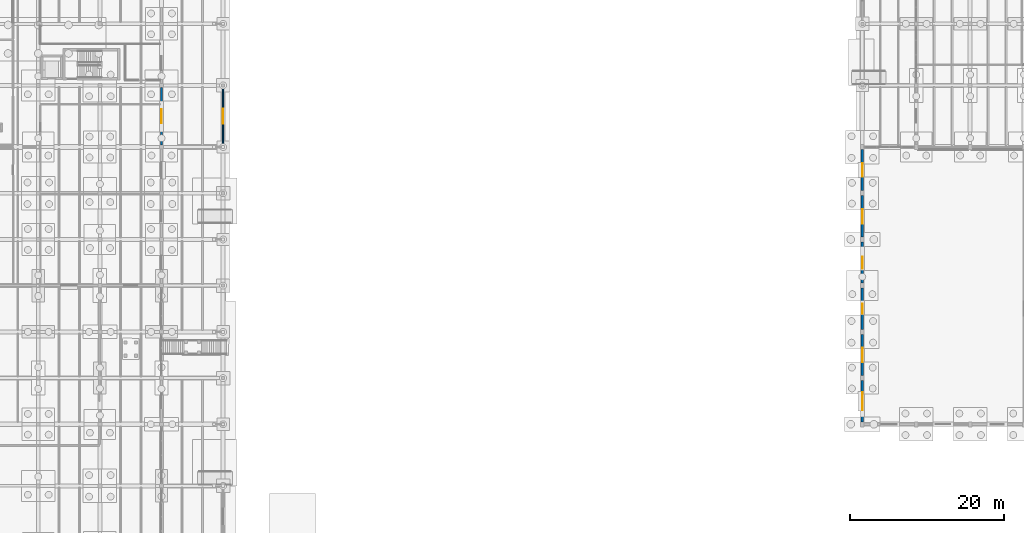
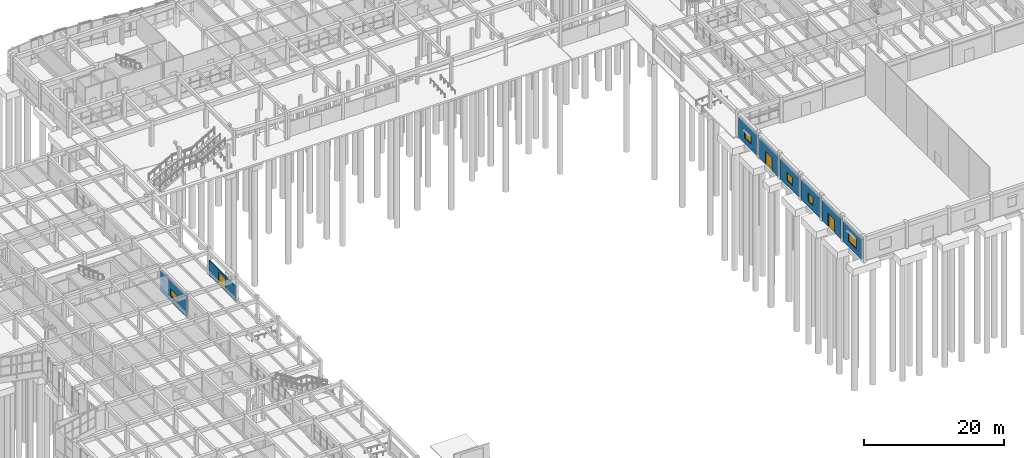
# One storey, part 63 of 99: 8 walls, 5 windows, 3 doors, 8 openings.
"""IFC4 building model written with IfcOpenShell, lengths in metres."""

from ifc_helpers import new_model, si_unit, direction, frame, frame_2d, origin, place, context, subcontext, project, spatial, rectangle, extrude, material, layer, layer_set, type_object, element, fill, save


model = new_model("IFC4")

# Units and contexts
model_context = context("Model", 3, precision=1e-05, world=origin(), true_north=direction((0.0, 1.0)))
body_context = subcontext(model_context, "Body", "Model", "MODEL_VIEW")
ifc_project = project(units=[si_unit("LENGTHUNIT", "METRE"), si_unit("AREAUNIT", "SQUARE_METRE"), si_unit("VOLUMEUNIT", "CUBIC_METRE"), si_unit("PLANEANGLEUNIT", "RADIAN"), si_unit("MASSUNIT", "GRAM", prefix="KILO")], contexts=[model_context])

# Site, building, storey
site_placement = place(None, origin())
site = spatial("IfcSite", under=ifc_project, at=site_placement, CompositionType="ELEMENT")
building_placement = place(site_placement, origin())
building = spatial("IfcBuilding", under=site, at=building_placement, Name="Tonlespit Floodbar School", CompositionType="ELEMENT")
storey_placement = place(building_placement, origin())
storey = spatial("IfcBuildingStorey", under=building, at=storey_placement, Name="L00", CompositionType="ELEMENT", Elevation=0.0)

# Wall, opening, window
ifc_material_1 = material(Name="Precast concrete C40/50", Category="concrete")
ifc_layer_1 = layer(ifc_material_1, 0.2900390625)
ifc_layer_set_1 = layer_set([ifc_layer_1], Name="Precast concrete C40/50")
wall_type_1 = type_object("IfcWallType", Name="ExtWall_Hall_Acoustic_290", PredefinedType="SOLIDWALL", material=ifc_layer_set_1)
wall_1_placement = place(storey_placement, frame((127.0, 20.324951171875, 0.0), z_axis=(0.0, 0.0, 1.0), x_axis=(0.0, 1.0, 0.0)))
wall_1 = element("IfcWall", 1, at=wall_1_placement, inside=storey, type_object=wall_type_1, Name="L00 external wall 0468", PredefinedType="SOLIDWALL", context=body_context, shape_type="SweptSolid", body=[
    extrude(rectangle(XDim=5.35009765625, YDim=0.2900390625, at=frame_2d((2.675048828125, 0.0))), origin(), (0.0, 0.0, 1.0), 3.5400390625),
])
opening_1_placement = place(wall_1_placement, frame((1.52490234375, 0.0, 0.949951171875)))
opening_1 = element("IfcOpeningElement", 2, at=opening_1_placement, cuts=wall_1, Name="Opening W-L00-060", PredefinedType="OPENING", context=body_context, shape_type="SweptSolid", body=[
    extrude(rectangle(XDim=2.300048828125, YDim=1.800048828125, at=frame_2d((1.14990234375, 0.89990234375))), frame((0.0, 0.155029296875, 0.0), z_axis=(0.0, -1.0, 0.0), x_axis=(1.0, 0.0, 0.0)), (0.0, 0.0, 1.0), 0.31005859375),
])
ifc_material_2 = material(Name="Tempered Double Glazing", Category="glass")
window_type_1 = type_object("IfcWindowType", Name="Win_Mod_2300x1800", PartitioningType="DOUBLE_PANEL_VERTICAL", PredefinedType="WINDOW", material=ifc_material_2)
window_1_placement = place(opening_1_placement, origin())
window_1 = element("IfcWindow", 3, at=window_1_placement, inside=storey, type_object=window_type_1, Name="L00 window W-L00-060", OverallHeight=1.800048828125, OverallWidth=2.300048828125, PartitioningType="DOUBLE_PANEL_VERTICAL", PredefinedType="WINDOW", context=body_context, shape_type="SweptSolid", body=[
    extrude(rectangle(XDim=2.300048828125, YDim=1.800048828125, at=frame_2d((1.14990234375, 0.89990234375))), frame((0.0, 0.030029296875, 0.0), z_axis=(0.0, -1.0, 0.0), x_axis=(1.0, 0.0, 0.0)), (0.0, 0.0, 1.0), 0.06005859375),
])
fill(opening_1, window_1)

# Wall, opening, door
wall_2_placement = place(storey_placement, frame((127.0, 26.324951171875, 0.0), z_axis=(0.0, 0.0, 1.0), x_axis=(0.0, 1.0, 0.0)))
wall_2 = element("IfcWall", 4, at=wall_2_placement, inside=storey, type_object=wall_type_1, Name="L00 external wall 0470", PredefinedType="SOLIDWALL", context=body_context, shape_type="SweptSolid", body=[
    extrude(rectangle(XDim=5.35009765625, YDim=0.2900390625, at=frame_2d((2.675048828125, 0.0))), origin(), (0.0, 0.0, 1.0), 3.5400390625),
])
opening_2_placement = place(wall_2_placement, frame((1.72509765625, 0.0, 0.0)))
opening_2 = element("IfcOpeningElement", 5, at=opening_2_placement, cuts=wall_2, Name="Opening D-EX-023", PredefinedType="OPENING", context=body_context, shape_type="SweptSolid", body=[
    extrude(rectangle(XDim=1.89990234375, YDim=2.25, at=frame_2d((0.949951171875, 1.125))), frame((0.0, 0.155029296875, 0.0), z_axis=(0.0, -1.0, 0.0), x_axis=(1.0, 0.0, 0.0)), (0.0, 0.0, 1.0), 0.31005859375),
])
ifc_material_3 = material(Name="Anodised Aluminium", Category="aluminium")
door_type_1 = type_object("IfcDoorType", Name="ExtDoor_Exit_1900x2250", OperationType="NOTDEFINED", PredefinedType="DOOR", material=ifc_material_3)
door_1_placement = place(opening_2_placement, origin())
door_1 = element("IfcDoor", 6, at=door_1_placement, inside=storey, type_object=door_type_1, Name="Final exit door D-EX-023", OperationType="SINGLE_SWING_LEFT", OverallHeight=2.25, OverallWidth=1.89990234375, PredefinedType="DOOR", context=body_context, shape_type="SweptSolid", body=[
    extrude(rectangle(XDim=1.89990234375, YDim=2.25, at=frame_2d((0.949951171875, 1.125))), frame((0.0, 0.02490234375, 0.0), z_axis=(0.0, -1.0, 0.0), x_axis=(1.0, 0.0, 0.0)), (0.0, 0.0, 1.0), 0.050048828125),
])
fill(opening_2, door_1)

# Wall, opening, window
wall_3_placement = place(storey_placement, frame((127.0, 32.324951171875, 0.0), z_axis=(0.0, 0.0, 1.0), x_axis=(0.0, 1.0, 0.0)))
wall_3 = element("IfcWall", 7, at=wall_3_placement, inside=storey, type_object=wall_type_1, Name="L00 external wall 0472", PredefinedType="SOLIDWALL", context=body_context, shape_type="SweptSolid", body=[
    extrude(rectangle(XDim=5.35009765625, YDim=0.2900390625, at=frame_2d((2.675048828125, 0.0))), origin(), (0.0, 0.0, 1.0), 3.5400390625),
])
opening_3_placement = place(wall_3_placement, frame((2.02490234375, 0.0, 0.949951171875)))
opening_3 = element("IfcOpeningElement", 8, at=opening_3_placement, cuts=wall_3, Name="Opening W-L00-061", PredefinedType="OPENING", context=body_context, shape_type="SweptSolid", body=[
    extrude(rectangle(XDim=1.300048828125, YDim=1.39990234375, at=frame_2d((0.64990234375, 0.699951171875))), frame((0.0, 0.155029296875, 0.0), z_axis=(0.0, -1.0, 0.0), x_axis=(1.0, 0.0, 0.0)), (0.0, 0.0, 1.0), 0.31005859375),
])
window_type_2 = type_object("IfcWindowType", Name="Win_Mod_1300x1400", PartitioningType="SINGLE_PANEL", PredefinedType="WINDOW", material=ifc_material_2)
window_2_placement = place(opening_3_placement, origin())
window_2 = element("IfcWindow", 9, at=window_2_placement, inside=storey, type_object=window_type_2, Name="L00 window W-L00-061", OverallHeight=1.39990234375, OverallWidth=1.300048828125, PartitioningType="SINGLE_PANEL", PredefinedType="WINDOW", context=body_context, shape_type="SweptSolid", body=[
    extrude(rectangle(XDim=1.300048828125, YDim=1.39990234375, at=frame_2d((0.64990234375, 0.699951171875))), frame((0.0, 0.030029296875, 0.0), z_axis=(0.0, -1.0, 0.0), x_axis=(1.0, 0.0, 0.0)), (0.0, 0.0, 1.0), 0.06005859375),
])
fill(opening_3, window_2)

wall_4_placement = place(storey_placement, frame((127.0, 38.324951171875, 0.0), z_axis=(0.0, 0.0, 1.0), x_axis=(0.0, 1.0, 0.0)))
wall_4 = element("IfcWall", 10, at=wall_4_placement, inside=storey, type_object=wall_type_1, Name="L00 external wall 0474", PredefinedType="SOLIDWALL", context=body_context, shape_type="SweptSolid", body=[
    extrude(rectangle(XDim=5.35009765625, YDim=0.2900390625, at=frame_2d((2.675048828125, 0.0))), origin(), (0.0, 0.0, 1.0), 3.5400390625),
])
opening_4_placement = place(wall_4_placement, frame((1.89990234375, 0.0, 0.949951171875)))
opening_4 = element("IfcOpeningElement", 11, at=opening_4_placement, cuts=wall_4, Name="Opening W-L00-062", PredefinedType="OPENING", context=body_context, shape_type="SweptSolid", body=[
    extrude(rectangle(XDim=1.550048828125, YDim=1.39990234375, at=frame_2d((0.77490234375, 0.699951171875))), frame((0.0, 0.155029296875, 0.0), z_axis=(0.0, -1.0, 0.0), x_axis=(1.0, 0.0, 0.0)), (0.0, 0.0, 1.0), 0.31005859375),
])
window_type_3 = type_object("IfcWindowType", Name="Win_Mod_1550x1400", PartitioningType="SINGLE_PANEL", PredefinedType="WINDOW", material=ifc_material_2)
window_3_placement = place(opening_4_placement, origin())
window_3 = element("IfcWindow", 12, at=window_3_placement, inside=storey, type_object=window_type_3, Name="L00 window W-L00-062", OverallHeight=1.39990234375, OverallWidth=1.550048828125, PartitioningType="SINGLE_PANEL", PredefinedType="WINDOW", context=body_context, shape_type="SweptSolid", body=[
    extrude(rectangle(XDim=1.550048828125, YDim=1.39990234375, at=frame_2d((0.77490234375, 0.699951171875))), frame((0.0, 0.030029296875, 0.0), z_axis=(0.0, -1.0, 0.0), x_axis=(1.0, 0.0, 0.0)), (0.0, 0.0, 1.0), 0.06005859375),
])
fill(opening_4, window_3)

# Wall, opening, door
wall_5_placement = place(storey_placement, frame((127.0, 44.324951171875, 0.0), z_axis=(0.0, 0.0, 1.0), x_axis=(0.0, 1.0, 0.0)))
wall_5 = element("IfcWall", 13, at=wall_5_placement, inside=storey, type_object=wall_type_1, Name="L00 external wall 0476", PredefinedType="SOLIDWALL", context=body_context, shape_type="SweptSolid", body=[
    extrude(rectangle(XDim=5.35009765625, YDim=0.2900390625, at=frame_2d((2.675048828125, 0.0))), origin(), (0.0, 0.0, 1.0), 3.5400390625),
])
opening_5_placement = place(wall_5_placement, frame((1.72509765625, 0.0, 0.0)))
opening_5 = element("IfcOpeningElement", 14, at=opening_5_placement, cuts=wall_5, Name="Opening D-EX-024", PredefinedType="OPENING", context=body_context, shape_type="SweptSolid", body=[
    extrude(rectangle(XDim=1.89990234375, YDim=2.25, at=frame_2d((0.949951171875, 1.125))), frame((0.0, 0.155029296875, 0.0), z_axis=(0.0, -1.0, 0.0), x_axis=(1.0, 0.0, 0.0)), (0.0, 0.0, 1.0), 0.31005859375),
])
door_2_placement = place(opening_5_placement, origin())
door_2 = element("IfcDoor", 15, at=door_2_placement, inside=storey, type_object=door_type_1, Name="Final exit door D-EX-024", OperationType="SINGLE_SWING_RIGHT", OverallHeight=2.25, OverallWidth=1.89990234375, PredefinedType="DOOR", context=body_context, shape_type="SweptSolid", body=[
    extrude(rectangle(XDim=1.89990234375, YDim=2.25, at=frame_2d((0.949951171875, 1.125))), frame((0.0, 0.02490234375, 0.0), z_axis=(0.0, -1.0, 0.0), x_axis=(1.0, 0.0, 0.0)), (0.0, 0.0, 1.0), 0.050048828125),
])
fill(opening_5, door_2)

# Wall, opening, window
wall_6_placement = place(storey_placement, frame((127.0, 50.324951171875, 0.0), z_axis=(0.0, 0.0, 1.0), x_axis=(0.0, 1.0, 0.0)))
wall_6 = element("IfcWall", 16, at=wall_6_placement, inside=storey, type_object=wall_type_1, Name="L00 external wall 0478", PredefinedType="SOLIDWALL", context=body_context, shape_type="SweptSolid", body=[
    extrude(rectangle(XDim=5.35009765625, YDim=0.2900390625, at=frame_2d((2.675048828125, 0.0))), origin(), (0.0, 0.0, 1.0), 3.5400390625),
])
opening_6_placement = place(wall_6_placement, frame((1.800048828125, 0.0, 0.949951171875)))
opening_6 = element("IfcOpeningElement", 17, at=opening_6_placement, cuts=wall_6, Name="Opening W-L00-063", PredefinedType="OPENING", context=body_context, shape_type="SweptSolid", body=[
    extrude(rectangle(XDim=1.75, YDim=1.39990234375, at=frame_2d((0.875, 0.699951171875))), frame((0.0, 0.155029296875, 0.0), z_axis=(0.0, -1.0, 0.0), x_axis=(1.0, 0.0, 0.0)), (0.0, 0.0, 1.0), 0.31005859375),
])
window_type_4 = type_object("IfcWindowType", Name="Win_Mod_1750x1400", PartitioningType="DOUBLE_PANEL_VERTICAL", PredefinedType="WINDOW", material=ifc_material_2)
window_4_placement = place(opening_6_placement, origin())
window_4 = element("IfcWindow", 18, at=window_4_placement, inside=storey, type_object=window_type_4, Name="L00 window W-L00-063", OverallHeight=1.39990234375, OverallWidth=1.75, PartitioningType="DOUBLE_PANEL_VERTICAL", PredefinedType="WINDOW", context=body_context, shape_type="SweptSolid", body=[
    extrude(rectangle(XDim=1.75, YDim=1.39990234375, at=frame_2d((0.875, 0.699951171875))), frame((0.0, 0.030029296875, 0.0), z_axis=(0.0, -1.0, 0.0), x_axis=(1.0, 0.0, 0.0)), (0.0, 0.0, 1.0), 0.06005859375),
])
fill(opening_6, window_4)

ifc_layer_2 = layer(ifc_material_1, 0.239990234375)
ifc_layer_set_2 = layer_set([ifc_layer_2], Name="Precast concrete C40/50")
wall_type_2 = type_object("IfcWallType", Name="ExtWall_Rainscreen_240", PredefinedType="SOLIDWALL", material=ifc_layer_set_2)
wall_7_placement = place(storey_placement, frame((36.0, 63.75, 0.0), z_axis=(0.0, 0.0, 1.0), x_axis=(0.0, -1.0, 0.0)))
wall_7 = element("IfcWall", 19, at=wall_7_placement, inside=storey, type_object=wall_type_2, Name="L00 external wall 0327", PredefinedType="SOLIDWALL", context=body_context, shape_type="SweptSolid", body=[
    extrude(rectangle(XDim=7.5, YDim=0.239990234375, at=frame_2d((3.75, 0.0))), origin(), (0.0, 0.0, 1.0), 3.590087890625),
])
opening_7_placement = place(wall_7_placement, frame((2.85009765625, 0.0, 0.949951171875)))
opening_7 = element("IfcOpeningElement", 20, at=opening_7_placement, cuts=wall_7, Name="Opening W-L00-023", PredefinedType="OPENING", context=body_context, shape_type="SweptSolid", body=[
    extrude(rectangle(XDim=1.800048828125, YDim=1.199951171875, at=frame_2d((0.89990234375, 0.60009765625))), frame((0.0, 0.1298828125, 0.0), z_axis=(0.0, -1.0, 0.0), x_axis=(1.0, 0.0, 0.0)), (0.0, 0.0, 1.0), 0.260009765625),
])
window_type_5 = type_object("IfcWindowType", Name="Win_Mod_1800x1200", PartitioningType="DOUBLE_PANEL_VERTICAL", PredefinedType="WINDOW", material=ifc_material_2)
window_5_placement = place(opening_7_placement, origin())
window_5 = element("IfcWindow", 21, at=window_5_placement, inside=storey, type_object=window_type_5, Name="L00 window W-L00-023", OverallHeight=1.199951171875, OverallWidth=1.800048828125, PartitioningType="DOUBLE_PANEL_VERTICAL", PredefinedType="WINDOW", context=body_context, shape_type="SweptSolid", body=[
    extrude(rectangle(XDim=1.800048828125, YDim=1.199951171875, at=frame_2d((0.89990234375, 0.60009765625))), frame((0.0, 0.030029296875, 0.0), z_axis=(0.0, -1.0, 0.0), x_axis=(1.0, 0.0, 0.0)), (0.0, 0.0, 1.0), 0.06005859375),
])
fill(opening_7, window_5)

# Wall, opening, door
ifc_layer_3 = layer(ifc_material_1, 0.1650390625)
ifc_layer_set_3 = layer_set([ifc_layer_3], Name="Precast concrete C40/50")
wall_type_3 = type_object("IfcWallType", Name="ExtWall_Screen_165", PredefinedType="SOLIDWALL", material=ifc_layer_set_3)
wall_8_placement = place(storey_placement, frame((44.0, 56.199951171875, 0.0), z_axis=(0.0, 0.0, 1.0), x_axis=(0.0, 1.0, 0.0)))
wall_8 = element("IfcWall", 22, at=wall_8_placement, inside=storey, type_object=wall_type_3, Name="L00 external wall 0758", PredefinedType="SOLIDWALL", context=body_context, shape_type="SweptSolid", body=[
    extrude(rectangle(XDim=7.60009765625, YDim=0.1650390625, at=frame_2d((3.800048828125, 0.0))), origin(), (0.0, 0.0, 1.0), 2.60009765625),
])
opening_8_placement = place(wall_8_placement, frame((2.800048828125, 0.0, 0.0)))
opening_8 = element("IfcOpeningElement", 23, at=opening_8_placement, cuts=wall_8, Name="Opening DG-43", PredefinedType="OPENING", context=body_context, shape_type="SweptSolid", body=[
    extrude(rectangle(XDim=2.0, YDim=2.199951171875, at=frame_2d((1.0, 1.10009765625))), frame((0.0, 0.092529296875, 0.0), z_axis=(0.0, -1.0, 0.0), x_axis=(1.0, 0.0, 0.0)), (0.0, 0.0, 1.0), 0.18505859375),
])
ifc_material_4 = material(Name="Galvanised Steel", Category="steel")
door_type_2 = type_object("IfcDoorType", Name="CourtGate_2000x2200", OperationType="DOUBLE_DOOR_SINGLE_SWING", PredefinedType="GATE", material=ifc_material_4)
door_3_placement = place(opening_8_placement, origin())
door_3 = element("IfcDoor", 24, at=door_3_placement, inside=storey, type_object=door_type_2, Name="L00 exterior door DG-43", OperationType="DOUBLE_DOOR_SINGLE_SWING", OverallHeight=2.199951171875, OverallWidth=2.0, PredefinedType="GATE", context=body_context, shape_type="SweptSolid", body=[
    extrude(rectangle(XDim=2.0, YDim=2.199951171875, at=frame_2d((1.0, 1.10009765625))), frame((0.0, 0.02490234375, 0.0), z_axis=(0.0, -1.0, 0.0), x_axis=(1.0, 0.0, 0.0)), (0.0, 0.0, 1.0), 0.050048828125),
])
fill(opening_8, door_3)

save(model, "model.ifc")
